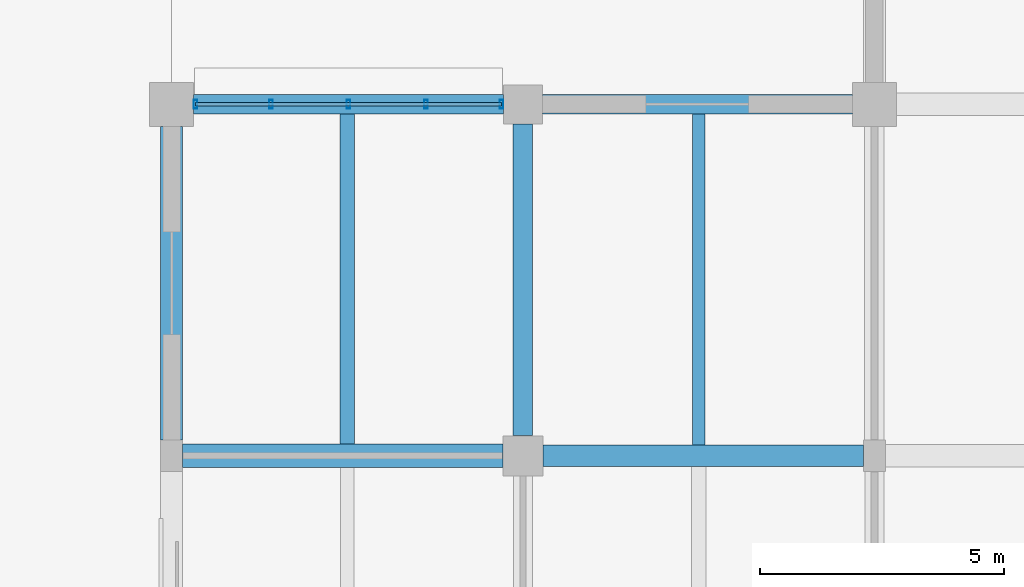
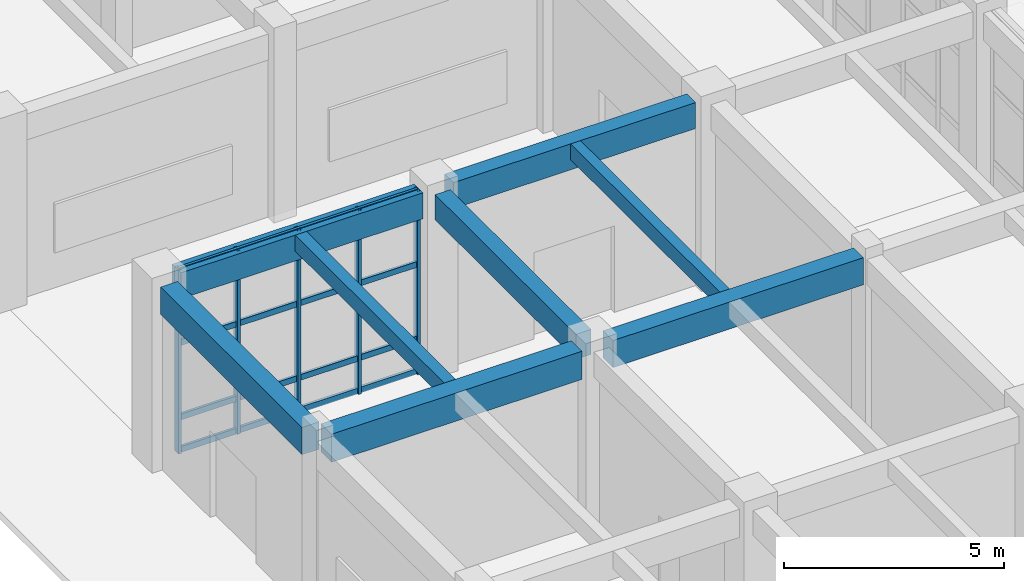
# One storey, part 47 of 160: 9 members, 8 beams, 1 element without a shape of its own.
"""IFC4 building model written with IfcOpenShell, lengths in metres."""

import ifcopenshell
import ifcopenshell.guid

model = None  # the IFC model being written
_history = None  # IfcOwnerHistory: only IFC2X3 demands one
_inside = {}  # id of a spatial element -> (the spatial element, [elements in it])
_under = {}  # id of a project, library or spatial element -> (it, [spatial elements below it])
_declared = {}  # id of a project -> (the project, [libraries it declares])
_typed = {}  # id of a type object -> (the type object, [elements of that type])
_made_of = {}  # id of a material, layer set ... -> (it, [elements and type objects made of it])


def new_model(schema):
    """Start an empty IFC model of exactly this schema.

    Asked for "IFC4X3", IfcOpenShell would pick the latest addendum, in which some entities
    have other attributes; the version numbers below select the first issue.
    IFC2X3 requires an IfcOwnerHistory on every rooted entity: one is made here for all.
    """
    global model, _history
    if schema == "IFC4X3":
        model = ifcopenshell.file(schema_version=(4, 3, 0, 0))
    else:
        model = ifcopenshell.file(schema=schema)
    _inside.clear()
    _under.clear()
    _declared.clear()
    _typed.clear()
    _made_of.clear()
    _history = None
    if model.schema == "IFC2X3":
        org = make("IfcOrganization", Name="unknown")
        user = make(
            "IfcPersonAndOrganization",
            ThePerson=make("IfcPerson", FamilyName="unknown"),
            TheOrganization=org,
        )
        app = make(
            "IfcApplication",
            ApplicationDeveloper=org,
            Version="unknown",
            ApplicationFullName="unknown",
            ApplicationIdentifier="unknown",
        )
        _history = make(
            "IfcOwnerHistory",
            OwningUser=user,
            OwningApplication=app,
            ChangeAction="ADDED",
            CreationDate=0,
        )
    return model


def make(cls, **values):
    """One entity of the class cls with the attributes given. An attribute that is None is left unset."""
    return model.create_entity(
        cls, **{name: value for name, value in values.items() if value is not None}
    )


def rooted(cls, **values):
    """An entity with a GlobalId (a new one), such as an element, a storey or a relation."""
    return make(cls, GlobalId=ifcopenshell.guid.new(), OwnerHistory=_history, **values)


def si_unit(unit_type, name, prefix=None):
    """IfcSIUnit, for example si_unit("LENGTHUNIT", "METRE", prefix="MILLI")."""
    return make("IfcSIUnit", UnitType=unit_type, Prefix=prefix, Name=name)


def assignment(units):
    """IfcUnitAssignment: the units of a project."""
    return None if units is None else make("IfcUnitAssignment", Units=units)


def point(xyz):
    """IfcCartesianPoint."""
    return None if xyz is None else make("IfcCartesianPoint", Coordinates=xyz)


def direction(xyz):
    """IfcDirection."""
    return None if xyz is None else make("IfcDirection", DirectionRatios=xyz)


def frame(location, z_axis=None, x_axis=None):
    """IfcAxis2Placement3D, a coordinate frame: its origin and axes. An axis left out is left unset."""
    return make(
        "IfcAxis2Placement3D",
        Location=point(location),
        Axis=direction(z_axis),
        RefDirection=direction(x_axis),
    )


def frame_2d(location, x_axis=None):
    """IfcAxis2Placement2D, a coordinate frame in the plane: its origin and x axis."""
    return make(
        "IfcAxis2Placement2D", Location=point(location), RefDirection=direction(x_axis)
    )


def origin():
    """The frame at (0, 0, 0) with its axes left unset."""
    return frame((0.0, 0.0, 0.0))


def origin_2d():
    """The frame at (0, 0) in the plane with its x axis left unset."""
    return frame_2d((0.0, 0.0))


def place(relative_to, where):
    """IfcLocalPlacement: puts the frame where relative to a parent placement (None: the world)."""
    return make(
        "IfcLocalPlacement", PlacementRelTo=relative_to, RelativePlacement=where
    )


def context(
    kind, dimensions, precision=None, world=None, true_north=None, identifier=None
):
    """IfcGeometricRepresentationContext, for example the 3D "Model" context."""
    return make(
        "IfcGeometricRepresentationContext",
        ContextIdentifier=identifier,
        ContextType=kind,
        CoordinateSpaceDimension=dimensions,
        Precision=precision,
        WorldCoordinateSystem=world,
        TrueNorth=true_north,
    )


def subcontext(parent, identifier, kind, view, scale=None):
    """IfcGeometricRepresentationSubContext, for example "Body" below "Model"."""
    return make(
        "IfcGeometricRepresentationSubContext",
        ContextIdentifier=identifier,
        ContextType=kind,
        ParentContext=parent,
        TargetScale=scale,
        TargetView=view,
    )


def project(units=None, contexts=None):
    """IfcProject with its units and contexts."""
    return rooted(
        "IfcProject",
        Name="project",
        RepresentationContexts=contexts,
        UnitsInContext=assignment(units),
    )


def spatial(cls, under=None, at=None, **own):
    """A site, building, storey or space (cls), placed at a placement, below another one or the project."""
    s = rooted(cls, ObjectPlacement=at, **own)
    if under is not None:
        _under.setdefault(under.id(), (under, []))[1].append(s)
    return s


def profile(cls, at=None, kind="AREA", **sizes):
    """A parametric profile (cls). Its sizes go by their IFC names, for example OverallWidth=200.0."""
    return make(cls, ProfileType=kind, Position=at, **sizes)


def rectangle(**sizes):
    """IfcRectangleProfileDef."""
    return profile("IfcRectangleProfileDef", **sizes)


def hollow_rectangle(**sizes):
    """IfcRectangleHollowProfileDef."""
    return profile("IfcRectangleHollowProfileDef", **sizes)


def extrude(swept, where, along, depth):
    """IfcExtrudedAreaSolid: the profile swept, set in the frame where, extruded along a direction by depth."""
    return make(
        "IfcExtrudedAreaSolid",
        SweptArea=swept,
        Position=where,
        ExtrudedDirection=direction(along),
        Depth=depth,
    )


def shape(context_of_items, identifier, shape_type, items):
    """IfcShapeRepresentation: the items that make up one representation, for example the "Body"."""
    return make(
        "IfcShapeRepresentation",
        ContextOfItems=context_of_items,
        RepresentationIdentifier=identifier,
        RepresentationType=shape_type,
        Items=items,
    )


def material(Name=None, Category=None):
    """IfcMaterial."""
    return make("IfcMaterial", Name=Name, Category=Category)


def material_profile(
    of_material, cross_section, Name=None, Category=None, Priority=None
):
    """IfcMaterialProfile: a cross section and its material."""
    return make(
        "IfcMaterialProfile",
        Name=Name,
        Material=of_material,
        Profile=cross_section,
        Priority=Priority,
        Category=Category,
    )


def profile_set(profiles, Name=None, composite=None):
    """IfcMaterialProfileSet."""
    return make(
        "IfcMaterialProfileSet",
        Name=Name,
        MaterialProfiles=profiles,
        CompositeProfile=composite,
    )


def made_of(thing, what):
    """Note that an element or type object is made of a material, layer set ...; save() writes the relation."""
    if what is not None:
        _made_of.setdefault(what.id(), (what, []))[1].append(thing)
    return thing


def type_object(cls, material=None, **own):
    """A type object (cls), such as IfcWallType, which elements share."""
    return made_of(rooted(cls, **own), material)


def element(
    cls,
    number,
    at=None,
    inside=None,
    cuts=None,
    type_object=None,
    material=None,
    context=None,
    identifier="Body",
    shape_type=None,
    held_by="IfcProductDefinitionShape",
    body=None,
    shapes=None,
    **own,
):
    """One element of the class cls, such as IfcWall. Its Tag is "e" and its number.

    at: its placement. inside: the storey or other place that contains it. cuts: it is an
    opening in that element (IfcRelVoidsElement). A single representation is given by context,
    identifier, shape_type and body (its items); several are given by shapes. held_by: the class
    of the entity that holds the representations. save() writes the other relations.
    """
    e = rooted(cls, Tag="e%d" % number, ObjectPlacement=at, **own)
    if body is not None:
        shapes = [shape(context, identifier, shape_type, body)]
    if shapes is not None:
        e.Representation = make(held_by, Representations=shapes)
    if inside is not None:
        _inside.setdefault(inside.id(), (inside, []))[1].append(e)
    if cuts is not None:
        rooted(
            "IfcRelVoidsElement", RelatingBuildingElement=cuts, RelatedOpeningElement=e
        )
    if type_object is not None:
        _typed.setdefault(type_object.id(), (type_object, []))[1].append(e)
    return made_of(e, material)


def aggregate(whole, parts):
    """IfcRelAggregates: a whole, such as a stair, and the parts it consists of."""
    return rooted("IfcRelAggregates", RelatingObject=whole, RelatedObjects=parts)


def save(model, path):
    """Write the relations noted so far, then the file.

    IfcRelAggregates (storeys below a building ...), IfcRelContainedInSpatialStructure (elements
    in a storey), IfcRelDefinesByType, IfcRelAssociatesMaterial and IfcRelDeclares: one each for
    every whole, place, type object, material and project.
    """
    for whole, parts in _under.values():
        aggregate(whole, parts)
    for where, things in _inside.values():
        rooted(
            "IfcRelContainedInSpatialStructure",
            RelatedElements=things,
            RelatingStructure=where,
        )
    for kind, things in _typed.values():
        rooted("IfcRelDefinesByType", RelatedObjects=things, RelatingType=kind)
    for what, things in _made_of.values():
        rooted("IfcRelAssociatesMaterial", RelatedObjects=things, RelatingMaterial=what)
    for by, libraries in _declared.values():
        rooted("IfcRelDeclares", RelatingContext=by, RelatedDefinitions=libraries)
    model.write(path)


model = new_model("IFC4")

# Units and contexts
model_context = context("Model", 3, precision=1e-05, world=origin(), true_north=direction((0.0, 1.0)))
body_context = subcontext(model_context, "Body", "Model", "MODEL_VIEW")
ifc_project = project(units=[si_unit("LENGTHUNIT", "METRE"), si_unit("AREAUNIT", "SQUARE_METRE"), si_unit("VOLUMEUNIT", "CUBIC_METRE"), si_unit("PLANEANGLEUNIT", "RADIAN"), si_unit("MASSUNIT", "GRAM", prefix="KILO")], contexts=[model_context])

# Site, building, storey
site_placement = place(None, origin())
site = spatial("IfcSite", under=ifc_project, at=site_placement, CompositionType="ELEMENT")
building_placement = place(site_placement, origin())
building = spatial("IfcBuilding", under=site, at=building_placement, Name="Thalmaran Polytechnic", CompositionType="ELEMENT")
storey_placement = place(building_placement, origin())
storey = spatial("IfcBuildingStorey", under=building, at=storey_placement, Name="L00", CompositionType="ELEMENT", Elevation=0.0)

# Beams
ifc_material_1 = material(Name="Concrete C40/50", Category="concrete")
ifc_material_profile_1 = material_profile(ifc_material_1, rectangle(XDim=0.449951171875, YDim=0.75, at=origin_2d()), Name="RC 450x750")
ifc_profile_set_1 = profile_set([ifc_material_profile_1], Name="Concrete C40/50")
beam_type_1 = type_object("IfcBeamType", Name="BM-RC03", PredefinedType="BEAM", material=ifc_profile_set_1)
beam_1_placement = place(storey_placement, frame((7.610107421875, 79.199951171875, 4.715087890625), z_axis=(1.0, 0.0, 0.0), x_axis=(0.0, 1.0, 0.0)))
element("IfcBeam", 1, at=beam_1_placement, inside=storey, type_object=beam_type_1, Name="Grid Beam B03 L00 X(1,11)", PredefinedType="BEAM", context=body_context, shape_type="SweptSolid", body=[
    extrude(rectangle(XDim=0.449951171875, YDim=0.75, at=origin_2d()), origin(), (0.0, 0.0, 1.0), 6.56494140625),
])
ifc_material_profile_2 = material_profile(ifc_material_1, rectangle(XDim=0.300048828125, YDim=0.449951171875, at=origin_2d()), Name="RC 300x450")
ifc_profile_set_2 = profile_set([ifc_material_profile_2], Name="Concrete C40/50")
beam_type_2 = type_object("IfcBeamType", Name="BM-RC12", PredefinedType="JOIST", material=ifc_profile_set_2)
beam_2_placement = place(storey_placement, frame((3.60009765625, 79.43994140625, 4.864990234375), z_axis=(0.0, 1.0, 0.0), x_axis=(-1.0, 0.0, 0.0)))
element("IfcBeam", 2, at=beam_2_placement, inside=storey, type_object=beam_type_2, Name="Secondary Floor Rib RB02 L00 (0,11)", PredefinedType="JOIST", context=body_context, shape_type="SweptSolid", body=[
    extrude(rectangle(XDim=0.300048828125, YDim=0.449951171875, at=origin_2d()), origin(), (0.0, 0.0, 1.0), 6.760009765625),
])
ifc_material_profile_3 = material_profile(ifc_material_1, rectangle(XDim=0.39990234375, YDim=0.719970703125, at=origin_2d()), Name="RC 400x720")
ifc_profile_set_3 = profile_set([ifc_material_profile_3], Name="Concrete C40/50")
beam_type_3 = type_object("IfcBeamType", Name="BM-SP01", PredefinedType="SPANDREL", material=ifc_profile_set_3)
beam_3_placement = place(storey_placement, frame((0.449951171875, 86.39990234375, 4.72998046875), z_axis=(1.0, 0.0, 0.0), x_axis=(0.0, 1.0, 0.0)))
element("IfcBeam", 3, at=beam_3_placement, inside=storey, type_object=beam_type_3, Name="Grid Beam SP01 L00 X(0,12)", PredefinedType="SPANDREL", context=body_context, shape_type="SweptSolid", body=[
    extrude(rectangle(XDim=0.39990234375, YDim=0.719970703125, at=origin_2d()), origin(), (0.0, 0.0, 1.0), 6.35009765625),
])
beam_4_placement = place(storey_placement, frame((7.60009765625, 86.39990234375, 4.72998046875), z_axis=(1.0, 0.0, 0.0), x_axis=(0.0, 1.0, 0.0)))
element("IfcBeam", 4, at=beam_4_placement, inside=storey, type_object=beam_type_3, Name="Grid Beam SP01 L00 X(1,12)", PredefinedType="SPANDREL", context=body_context, shape_type="SweptSolid", body=[
    extrude(rectangle(XDim=0.39990234375, YDim=0.719970703125, at=origin_2d()), origin(), (0.0, 0.0, 1.0), 6.349853515625),
])
ifc_material_profile_4 = material_profile(ifc_material_1, rectangle(XDim=0.449951171875, YDim=0.7548828125, at=origin_2d()), Name="RC 450x755")
ifc_profile_set_4 = profile_set([ifc_material_profile_4], Name="Concrete C40/50")
beam_type_4 = type_object("IfcBeamType", Name="BM-SP02", PredefinedType="SPANDREL", material=ifc_profile_set_4)
beam_5_placement = place(storey_placement, frame((0.0, 79.52490234375, 4.71240234375), z_axis=(0.0, 1.0, 0.0), x_axis=(-1.0, 0.0, 0.0)))
element("IfcBeam", 5, at=beam_5_placement, inside=storey, type_object=beam_type_4, Name="Grid Beam SP02 L00 Y(0,11)", PredefinedType="SPANDREL", context=body_context, shape_type="SweptSolid", body=[
    extrude(rectangle(XDim=0.449951171875, YDim=0.7548828125, at=origin_2d()), origin(), (0.0, 0.0, 1.0), 6.425048828125),
])
ifc_material_profile_5 = material_profile(ifc_material_1, rectangle(XDim=0.47998046875, YDim=0.780029296875, at=origin_2d()), Name="RC 480x780")
ifc_profile_set_5 = profile_set([ifc_material_profile_5], Name="Concrete C40/50")
beam_type_5 = type_object("IfcBeamType", Name="BM-ZB01", PredefinedType="BEAM", material=ifc_profile_set_5)
beam_6_placement = place(storey_placement, frame((0.22509765625, 79.199951171875, 4.699951171875), z_axis=(1.0, 0.0, 0.0), x_axis=(0.0, 1.0, 0.0)))
element("IfcBeam", 6, at=beam_6_placement, inside=storey, type_object=beam_type_5, Name="Grid Beam ZB01 L00 X(0,11)", PredefinedType="BEAM", context=body_context, shape_type="SweptSolid", body=[
    extrude(rectangle(XDim=0.47998046875, YDim=0.780029296875, at=origin_2d()), origin(), (0.0, 0.0, 1.0), 6.56494140625),
])
ifc_material_profile_6 = material_profile(ifc_material_1, rectangle(XDim=0.39990234375, YDim=0.695068359375, at=origin_2d()), Name="RC 400x695")
ifc_profile_set_6 = profile_set([ifc_material_profile_6], Name="Concrete C40/50")
beam_type_6 = type_object("IfcBeamType", Name="BM-ZB08", PredefinedType="BEAM", material=ifc_profile_set_6)
beam_7_placement = place(storey_placement, frame((7.199951171875, 79.610107421875, 4.742431640625), z_axis=(0.0, 1.0, 0.0), x_axis=(-1.0, 0.0, 0.0)))
element("IfcBeam", 7, at=beam_7_placement, inside=storey, type_object=beam_type_6, Name="Grid Beam ZB08 L00 Y(1,11)", PredefinedType="BEAM", context=body_context, shape_type="SweptSolid", body=[
    extrude(rectangle(XDim=0.39990234375, YDim=0.695068359375, at=origin_2d()), origin(), (0.0, 0.0, 1.0), 6.389892578125),
])
ifc_material_profile_7 = material_profile(ifc_material_1, rectangle(XDim=0.260009765625, YDim=0.43994140625, at=origin_2d()), Name="RC 260x440")
ifc_profile_set_7 = profile_set([ifc_material_profile_7], Name="Concrete C40/50")
beam_type_7 = type_object("IfcBeamType", Name="BM-ZJ02", PredefinedType="JOIST", material=ifc_profile_set_7)
beam_8_placement = place(storey_placement, frame((10.800048828125, 79.425048828125, 4.8701171875), z_axis=(0.0, 1.0, 0.0), x_axis=(-1.0, 0.0, 0.0)))
element("IfcBeam", 8, at=beam_8_placement, inside=storey, type_object=beam_type_7, Name="Secondary Floor Rib ZJ02 L00 (1,11)", PredefinedType="JOIST", context=body_context, shape_type="SweptSolid", body=[
    extrude(rectangle(XDim=0.260009765625, YDim=0.43994140625, at=origin_2d()), origin(), (0.0, 0.0, 1.0), 6.77490234375),
])

# Curtain wall, members
ifc_material_2 = material(Name="Aluminium 6063-T6", Category="aluminium")
curtain_wall_type = type_object("IfcCurtainWallType", Name="CW-UC01", PredefinedType="USERDEFINED", material=ifc_material_2)
curtain_wall_placement = place(storey_placement, origin())
curtain_wall = element("IfcCurtainWall", 9, at=curtain_wall_placement, inside=storey, type_object=curtain_wall_type, Name="Curtain Wall CW-L00-001", ObjectType="UNITISED CURTAIN WALL", PredefinedType="USERDEFINED")
ifc_material_profile_8 = material_profile(ifc_material_2, hollow_rectangle(XDim=0.080078125, YDim=0.179931640625, WallThickness=0.0048828125, at=origin_2d()), Name="RHS 180x80x5.0")
ifc_profile_set_8 = profile_set([ifc_material_profile_8], Name="Aluminium 6063-T6")
member_type_1 = type_object("IfcMemberType", Name="CW-MUL1", PredefinedType="MULLION", material=ifc_profile_set_8)
member_1_placement = place(storey_placement, frame((0.489990234375, 86.39990234375, 0.0), z_axis=(0.0, 0.0, 1.0), x_axis=(1.0, 0.0, 0.0)))
member_1 = element("IfcMember", 10, at=member_1_placement, type_object=member_type_1, Name="CW-L00-001 Mullion 1", PredefinedType="MULLION", context=body_context, shape_type="SweptSolid", body=[
    extrude(hollow_rectangle(XDim=0.080078125, YDim=0.179931640625, WallThickness=0.0048828125, at=origin_2d()), origin(), (0.0, 0.0, 1.0), 5.090087890625),
])
member_2_placement = place(storey_placement, frame((2.03759765625, 86.39990234375, 0.0), z_axis=(0.0, 0.0, 1.0), x_axis=(1.0, 0.0, 0.0)))
member_2 = element("IfcMember", 11, at=member_2_placement, type_object=member_type_1, Name="CW-L00-001 Mullion 2", PredefinedType="MULLION", context=body_context, shape_type="SweptSolid", body=[
    extrude(hollow_rectangle(XDim=0.080078125, YDim=0.179931640625, WallThickness=0.0048828125, at=origin_2d()), origin(), (0.0, 0.0, 1.0), 5.090087890625),
])
member_3_placement = place(storey_placement, frame((3.625, 86.39990234375, 0.0), z_axis=(0.0, 0.0, 1.0), x_axis=(1.0, 0.0, 0.0)))
member_3 = element("IfcMember", 12, at=member_3_placement, type_object=member_type_1, Name="CW-L00-001 Mullion 3", PredefinedType="MULLION", context=body_context, shape_type="SweptSolid", body=[
    extrude(hollow_rectangle(XDim=0.080078125, YDim=0.179931640625, WallThickness=0.0048828125, at=origin_2d()), origin(), (0.0, 0.0, 1.0), 5.090087890625),
])
member_4_placement = place(storey_placement, frame((5.21240234375, 86.39990234375, 0.0), z_axis=(0.0, 0.0, 1.0), x_axis=(1.0, 0.0, 0.0)))
member_4 = element("IfcMember", 13, at=member_4_placement, type_object=member_type_1, Name="CW-L00-001 Mullion 4", PredefinedType="MULLION", context=body_context, shape_type="SweptSolid", body=[
    extrude(hollow_rectangle(XDim=0.080078125, YDim=0.179931640625, WallThickness=0.0048828125, at=origin_2d()), origin(), (0.0, 0.0, 1.0), 5.090087890625),
])
member_5_placement = place(storey_placement, frame((6.760009765625, 86.39990234375, 0.0), z_axis=(0.0, 0.0, 1.0), x_axis=(1.0, 0.0, 0.0)))
member_5 = element("IfcMember", 14, at=member_5_placement, type_object=member_type_1, Name="CW-L00-001 Mullion 5", PredefinedType="MULLION", context=body_context, shape_type="SweptSolid", body=[
    extrude(hollow_rectangle(XDim=0.080078125, YDim=0.179931640625, WallThickness=0.0048828125, at=origin_2d()), origin(), (0.0, 0.0, 1.0), 5.090087890625),
])
ifc_material_profile_9 = material_profile(ifc_material_2, hollow_rectangle(XDim=0.070068359375, YDim=0.159912109375, WallThickness=0.00390625, at=origin_2d()), Name="AL 160x70x4.0")
ifc_profile_set_9 = profile_set([ifc_material_profile_9], Name="Aluminium 6063-T6")
member_type_2 = type_object("IfcMemberType", Name="CW-TRN1", PredefinedType="USERDEFINED", material=ifc_profile_set_9)
member_6_placement = place(storey_placement, frame((0.489990234375, 86.39990234375, 0.06005859375), z_axis=(1.0, 0.0, 0.0), x_axis=(0.0, 1.0, 0.0)))
member_6 = element("IfcMember", 15, at=member_6_placement, type_object=member_type_2, Name="CW-L00-001 Transom 1", ObjectType="TRANSOM", PredefinedType="USERDEFINED", context=body_context, shape_type="SweptSolid", body=[
    extrude(hollow_rectangle(XDim=0.070068359375, YDim=0.159912109375, WallThickness=0.00390625, at=origin_2d()), origin(), (0.0, 0.0, 1.0), 6.27001953125),
])
member_7_placement = place(storey_placement, frame((0.489990234375, 86.39990234375, 0.9599609375), z_axis=(1.0, 0.0, 0.0), x_axis=(0.0, 1.0, 0.0)))
member_7 = element("IfcMember", 16, at=member_7_placement, type_object=member_type_2, Name="CW-L00-001 Transom 2", ObjectType="TRANSOM", PredefinedType="USERDEFINED", context=body_context, shape_type="SweptSolid", body=[
    extrude(hollow_rectangle(XDim=0.070068359375, YDim=0.159912109375, WallThickness=0.00390625, at=origin_2d()), origin(), (0.0, 0.0, 1.0), 6.27001953125),
])
member_8_placement = place(storey_placement, frame((0.489990234375, 86.39990234375, 3.02490234375), z_axis=(1.0, 0.0, 0.0), x_axis=(0.0, 1.0, 0.0)))
member_8 = element("IfcMember", 17, at=member_8_placement, type_object=member_type_2, Name="CW-L00-001 Transom 3", ObjectType="TRANSOM", PredefinedType="USERDEFINED", context=body_context, shape_type="SweptSolid", body=[
    extrude(hollow_rectangle(XDim=0.070068359375, YDim=0.159912109375, WallThickness=0.00390625, at=origin_2d()), origin(), (0.0, 0.0, 1.0), 6.27001953125),
])
member_9_placement = place(storey_placement, frame((0.489990234375, 86.39990234375, 5.030029296875), z_axis=(1.0, 0.0, 0.0), x_axis=(0.0, 1.0, 0.0)))
member_9 = element("IfcMember", 18, at=member_9_placement, type_object=member_type_2, Name="CW-L00-001 Transom 4", ObjectType="TRANSOM", PredefinedType="USERDEFINED", context=body_context, shape_type="SweptSolid", body=[
    extrude(hollow_rectangle(XDim=0.070068359375, YDim=0.159912109375, WallThickness=0.00390625, at=origin_2d()), origin(), (0.0, 0.0, 1.0), 6.27001953125),
])
aggregate(curtain_wall, [member_1, member_2, member_3, member_4, member_5, member_6, member_7, member_8, member_9])

save(model, "model.ifc")
